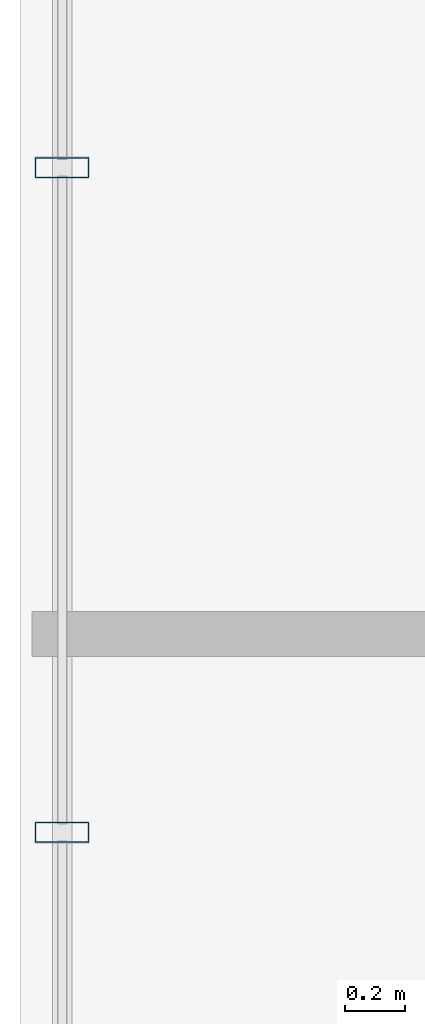
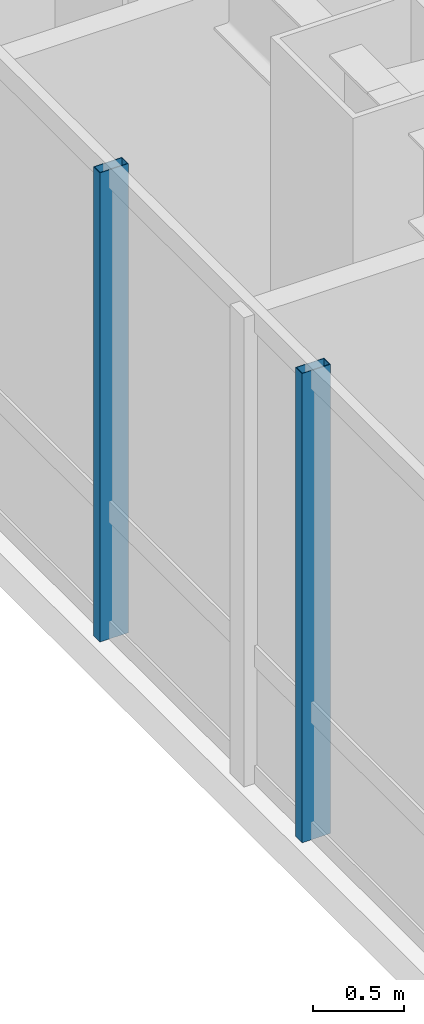
# One storey, part 19 of 36: 2 members, 1 element without a shape of its own.
"""IFC4 building model written with IfcOpenShell, lengths in metres."""

from ifc_helpers import new_model, si_unit, direction, frame, origin, origin_2d, place, context, subcontext, project, spatial, hollow_rectangle, extrude, material, layer, layer_set, material_profile, profile_set, type_object, element, aggregate, save


model = new_model("IFC4")

# Units and contexts
model_context = context("Model", 3, precision=1e-05, world=origin(), true_north=direction((0.0, 1.0)))
body_context = subcontext(model_context, "Body", "Model", "MODEL_VIEW")
ifc_project = project(units=[si_unit("LENGTHUNIT", "METRE"), si_unit("AREAUNIT", "SQUARE_METRE"), si_unit("VOLUMEUNIT", "CUBIC_METRE"), si_unit("PLANEANGLEUNIT", "RADIAN"), si_unit("MASSUNIT", "GRAM", prefix="KILO")], contexts=[model_context])

# Site, building, storey
site_placement = place(None, origin())
site = spatial("IfcSite", under=ifc_project, at=site_placement, CompositionType="ELEMENT")
building_placement = place(site_placement, origin())
building = spatial("IfcBuilding", under=site, at=building_placement, Name="Hatsunagi Terrace Concourse", CompositionType="ELEMENT")
storey_placement = place(building_placement, frame((0.0, 0.0, 84.64990234375)))
storey = spatial("IfcBuildingStorey", under=building, at=storey_placement, Name="L22", CompositionType="ELEMENT", Elevation=84.64990234375)

# Curtain wall, members
ifc_material_1 = material(Name="Anodised Aluminium Alloy 6063-T5", Category="aluminium")
ifc_layer = layer(ifc_material_1, 0.199951171875)
ifc_layer_set = layer_set([ifc_layer], Name="HotelFacade_CW02")
curtain_wall_type = type_object("IfcCurtainWallType", Name="HotelFacade_CW02", PredefinedType="NOTDEFINED", material=ifc_layer_set)
curtain_wall_placement = place(storey_placement, origin())
curtain_wall = element("IfcCurtainWall", 1, at=curtain_wall_placement, inside=storey, type_object=curtain_wall_type, Name="Unitised Curtain Wall CW-02 CW-L22-09", PredefinedType="NOTDEFINED")
ifc_material_2 = material(Name="Anodised Aluminium Alloy 6063-T5", Category="aluminium")
ifc_material_profile = material_profile(ifc_material_2, hollow_rectangle(XDim=0.070068359375, YDim=0.179931640625, WallThickness=0.00390625, at=origin_2d()), Name="ALU-MUL-180x70x4")
ifc_profile_set = profile_set([ifc_material_profile], Name="Anodised Aluminium Alloy 6063-T5")
member_type = type_object("IfcMemberType", Name="CurtainWallMullion_180x70", PredefinedType="MULLION", material=ifc_profile_set)
member_1_placement = place(storey_placement, frame((9.739990234375, 34.69189453125, 0.0), z_axis=(0.0, 0.0, 1.0), x_axis=(0.0, 1.0, 0.0)))
member_1 = element("IfcMember", 2, at=member_1_placement, type_object=member_type, Name="Curtain Wall Mullion MUL-02", PredefinedType="MULLION", context=body_context, shape_type="SweptSolid", body=[
    extrude(hollow_rectangle(XDim=0.070068359375, YDim=0.179931640625, WallThickness=0.00390625, at=origin_2d()), origin(), (0.0, 0.0, 1.0), 3.130126953125),
])
member_2_placement = place(storey_placement, frame((9.739990234375, 36.89990234375, 0.0), z_axis=(0.0, 0.0, 1.0), x_axis=(0.0, 1.0, 0.0)))
member_2 = element("IfcMember", 3, at=member_2_placement, type_object=member_type, Name="Curtain Wall Mullion MUL-02", PredefinedType="MULLION", context=body_context, shape_type="SweptSolid", body=[
    extrude(hollow_rectangle(XDim=0.070068359375, YDim=0.179931640625, WallThickness=0.00390625, at=origin_2d()), origin(), (0.0, 0.0, 1.0), 3.130126953125),
])
aggregate(curtain_wall, [member_1, member_2])

save(model, "model.ifc")
